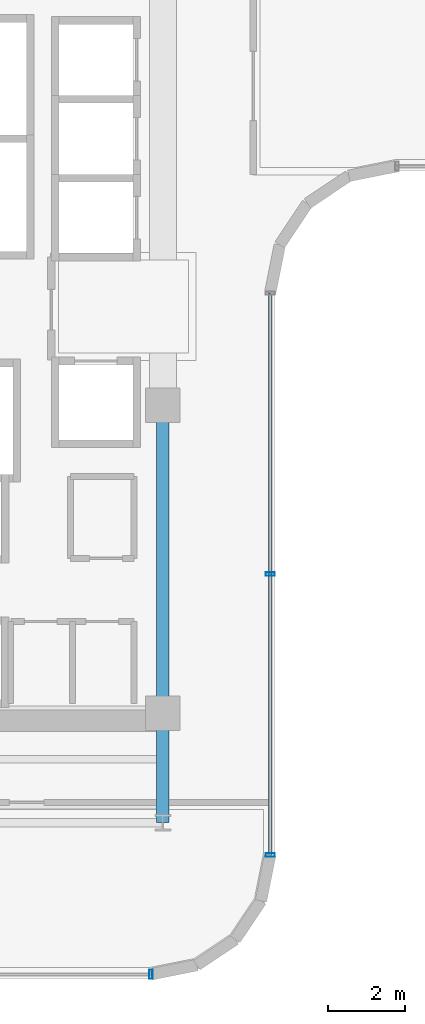
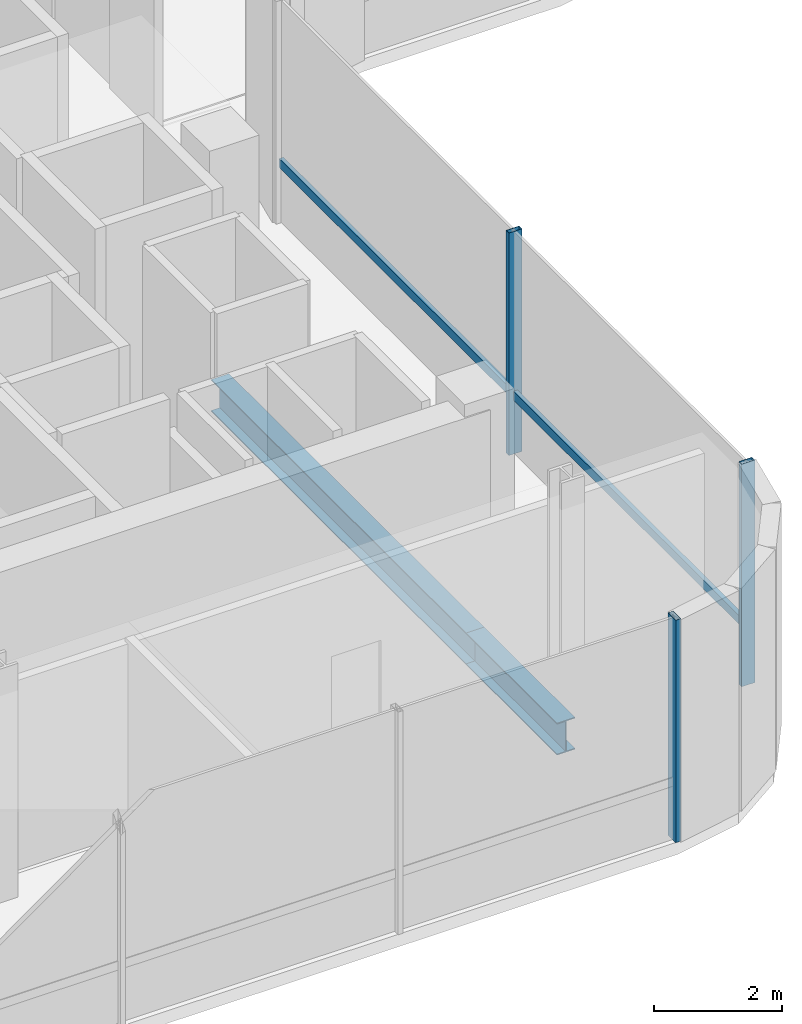
# One storey, part 4 of 17: 4 members, 2 beams, 2 elements without a shape of their own.
"""IFC4 building model written with IfcOpenShell, lengths in metres."""

from ifc_helpers import new_model, si_unit, direction, frame, origin, origin_2d, place, context, subcontext, project, spatial, hollow_rectangle, i_section, extrude, source, transform, mapped, material, material_profile, profile_set, type_object, element, aggregate, save


model = new_model("IFC4")

# Units and contexts
model_context = context("Model", 3, precision=1e-05, world=origin(), true_north=direction((0.0, 1.0)))
body_context = subcontext(model_context, "Body", "Model", "MODEL_VIEW")
ifc_project = project(units=[si_unit("LENGTHUNIT", "METRE"), si_unit("AREAUNIT", "SQUARE_METRE"), si_unit("VOLUMEUNIT", "CUBIC_METRE"), si_unit("PLANEANGLEUNIT", "RADIAN"), si_unit("MASSUNIT", "GRAM", prefix="KILO")], contexts=[model_context])

# Site, building, storey
site_placement = place(None, origin())
site = spatial("IfcSite", under=ifc_project, at=site_placement, CompositionType="ELEMENT")
building_placement = place(site_placement, origin())
building = spatial("IfcBuilding", under=site, at=building_placement, Name="Valdorenza Pilgrim Sanctuary Tower", CompositionType="ELEMENT")
storey_placement = place(building_placement, frame((0.0, 0.0, 201.0)))
storey = spatial("IfcBuildingStorey", under=building, at=storey_placement, Name="L51", CompositionType="ELEMENT", Elevation=201.0)

# Beams
ifc_material_1 = material(Name="Steel ASTM A992 Grade 50", Category="steel")
ifc_material_profile_1 = material_profile(ifc_material_1, i_section(OverallWidth=0.323974609375, OverallDepth=0.611083984375, WebThickness=0.0126953125, FlangeThickness=0.01904296875, at=origin_2d()), Name="W24X104")
ifc_profile_set_1 = profile_set([ifc_material_profile_1], Name="Steel ASTM A992 Grade 50")
beam_type = type_object("IfcBeamType", Name="STR-BM-GRD-W24B", PredefinedType="BEAM", material=ifc_profile_set_1)
shared_shape_1 = source(origin(), body_context, "Body", "SweptSolid", [
    extrude(i_section(OverallWidth=0.323974609375, OverallDepth=0.611083984375, WebThickness=0.0126953125, FlangeThickness=0.01904296875, at=origin_2d()), origin(), (0.0, 0.0, 1.0), 8.0),
])
beam_1_placement = place(storey_placement, frame((-12.39990234375, -10.60009765625, -0.54541015625), z_axis=(0.0, 1.0, 0.0), x_axis=(-1.0, 0.0, 0.0)))
element("IfcBeam", 1, at=beam_1_placement, inside=storey, type_object=beam_type, Name="L51 Core Tie Girder CA-E-S1M0", PredefinedType="BEAM", context=body_context, shape_type="MappedRepresentation", body=[
    mapped(shared_shape_1, transform((0.0, 0.0, 0.0), x_axis=(1.0, 0.0, 0.0), y_axis=(0.0, 1.0, 0.0), z_axis=(0.0, 0.0, 1.0), scale=1.0)),
])
shared_shape_2 = source(origin(), body_context, "Body", "SweptSolid", [
    extrude(i_section(OverallWidth=0.323974609375, OverallDepth=0.611083984375, WebThickness=0.0126953125, FlangeThickness=0.01904296875, at=origin_2d()), origin(), (0.0, 0.0, 1.0), 2.849853515625),
])
beam_2_placement = place(storey_placement, frame((-12.39990234375, -13.449951171875, -0.54541015625), z_axis=(0.0, 1.0, 0.0), x_axis=(-1.0, 0.0, 0.0)))
element("IfcBeam", 2, at=beam_2_placement, inside=storey, type_object=beam_type, Name="L51 Floor Girder WA-S-LE", PredefinedType="BEAM", context=body_context, shape_type="MappedRepresentation", body=[
    mapped(shared_shape_2, transform((0.0, 0.0, 0.0), x_axis=(1.0, 0.0, 0.0), y_axis=(0.0, 1.0, 0.0), z_axis=(0.0, 0.0, 1.0), scale=1.0)),
])

# Curtain wall, members
ifc_material_2 = material(Name="Curtain-wall IGU glazing", Category="glass")
curtain_wall_type = type_object("IfcCurtainWallType", Name="CW-SYS-04", PredefinedType="NOTDEFINED", material=ifc_material_2)
curtain_wall_1_placement = place(storey_placement, origin())
curtain_wall_1 = element("IfcCurtainWall", 3, at=curtain_wall_1_placement, inside=storey, type_object=curtain_wall_type, Name="L51 Curtain Wall CW-L51-1-21", PredefinedType="NOTDEFINED")
ifc_material_3 = material(Name="Anodised aluminium AW-6060", Category="aluminium")
ifc_material_profile_2 = material_profile(ifc_material_3, hollow_rectangle(XDim=0.090087890625, YDim=0.239990234375, WallThickness=0.0048828125, at=origin_2d()), Name="ALU-M 240x90x5")
ifc_profile_set_2 = profile_set([ifc_material_profile_2], Name="Anodised aluminium AW-6060")
member_type_1 = type_object("IfcMemberType", Name="CW-MUL-04", PredefinedType="MULLION", material=ifc_profile_set_2)
shared_shape_3 = source(origin(), body_context, "Body", "SweptSolid", [
    extrude(hollow_rectangle(XDim=0.090087890625, YDim=0.239990234375, WallThickness=0.0048828125, at=origin_2d()), origin(), (0.0, 0.0, 1.0), 4.260009765625),
])
member_1_placement = place(storey_placement, frame((-9.610107421875, -6.9892578125, 0.0), z_axis=(0.0, 0.0, 1.0), x_axis=(0.0, -1.0, 0.0)))
member_1 = element("IfcMember", 4, at=member_1_placement, type_object=member_type_1, Name="CW-L51-1-21 Mullion 2", PredefinedType="MULLION", context=body_context, shape_type="MappedRepresentation", body=[
    mapped(shared_shape_3, transform((0.0, 0.0, 0.0), x_axis=(1.0, 0.0, 0.0), y_axis=(0.0, 1.0, 0.0), z_axis=(0.0, 0.0, 1.0), scale=1.0)),
])
member_2_placement = place(storey_placement, frame((-9.610107421875, -14.289306640625, 0.0), z_axis=(0.0, 0.0, 1.0), x_axis=(0.0, -1.0, 0.0)))
member_2 = element("IfcMember", 5, at=member_2_placement, type_object=member_type_1, Name="CW-L51-1-21 Mullion 3", PredefinedType="MULLION", context=body_context, shape_type="MappedRepresentation", body=[
    mapped(shared_shape_3, transform((0.0, 0.0, 0.0), x_axis=(1.0, 0.0, 0.0), y_axis=(0.0, 1.0, 0.0), z_axis=(0.0, 0.0, 1.0), scale=1.0)),
])

# Curtain wall, member
curtain_wall_2_placement = place(storey_placement, origin())
curtain_wall_2 = element("IfcCurtainWall", 6, at=curtain_wall_2_placement, inside=storey, type_object=curtain_wall_type, Name="L51 Curtain Wall CW-L51-1-26", PredefinedType="NOTDEFINED")
member_3_placement = place(storey_placement, frame((-12.710693359375, -17.389892578125, 0.0), z_axis=(0.0, 0.0, 1.0), x_axis=(-1.0, 0.0, 0.0)))
member_3 = element("IfcMember", 7, at=member_3_placement, type_object=member_type_1, Name="CW-L51-1-26 Mullion 1", PredefinedType="MULLION", context=body_context, shape_type="MappedRepresentation", body=[
    mapped(shared_shape_3, transform((0.0, 0.0, 0.0), x_axis=(1.0, 0.0, 0.0), y_axis=(0.0, 1.0, 0.0), z_axis=(0.0, 0.0, 1.0), scale=1.0)),
])
aggregate(curtain_wall_2, [member_3])

# Member
ifc_material_profile_3 = material_profile(ifc_material_3, hollow_rectangle(XDim=0.080078125, YDim=0.169921875, WallThickness=0.00390625, at=origin_2d()), Name="ALU-T 170x80x4")
ifc_profile_set_3 = profile_set([ifc_material_profile_3], Name="Anodised aluminium AW-6060")
member_type_2 = type_object("IfcMemberType", Name="CW-TRN-04", PredefinedType="USERDEFINED", material=ifc_profile_set_3)
shared_shape_4 = source(origin(), body_context, "Body", "SweptSolid", [
    extrude(hollow_rectangle(XDim=0.080078125, YDim=0.169921875, WallThickness=0.00390625, at=origin_2d()), origin(), (0.0, 0.0, 1.0), 14.60009765625),
])
member_4_placement = place(storey_placement, frame((-9.610107421875, 0.310791015625, 1.1201171875), z_axis=(0.0, -1.0, 0.0), x_axis=(1.0, 0.0, 0.0)))
member_4 = element("IfcMember", 8, at=member_4_placement, type_object=member_type_2, Name="CW-L51-1-21 Transom 1", ObjectType="TRANSOM", PredefinedType="USERDEFINED", context=body_context, shape_type="MappedRepresentation", body=[
    mapped(shared_shape_4, transform((0.0, 0.0, 0.0), x_axis=(1.0, 0.0, 0.0), y_axis=(0.0, 1.0, 0.0), z_axis=(0.0, 0.0, 1.0), scale=1.0)),
])

aggregate(curtain_wall_1, [member_1, member_2, member_4])

save(model, "model.ifc")
